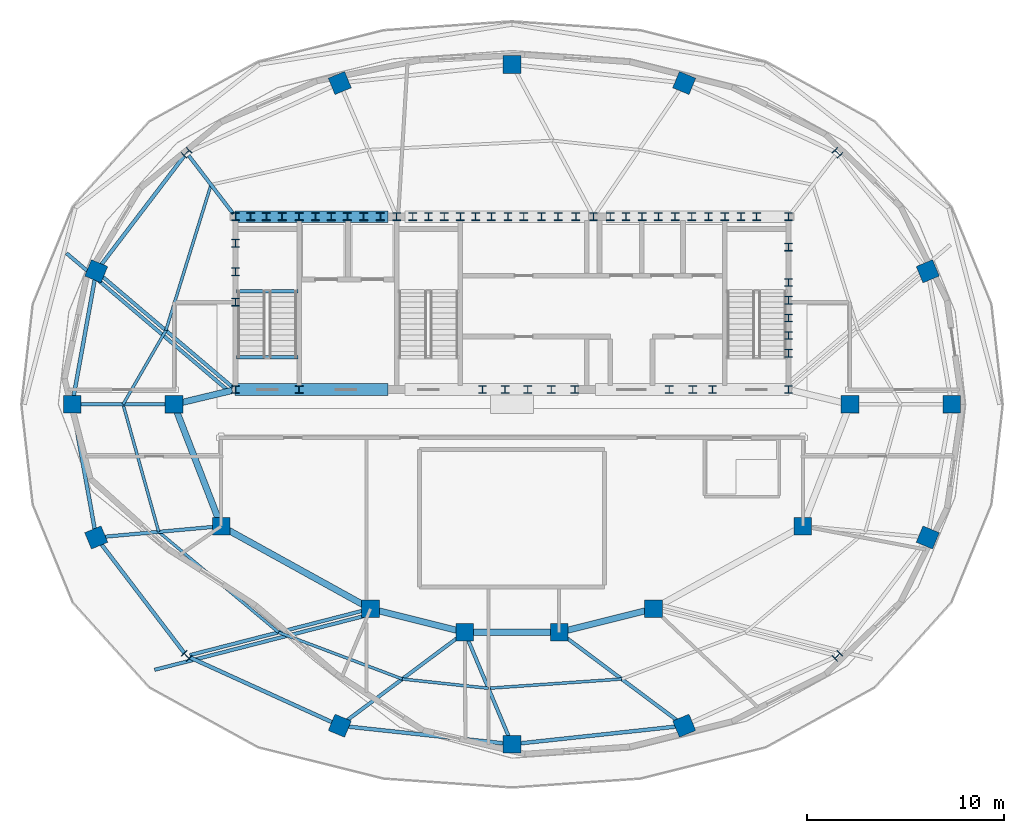
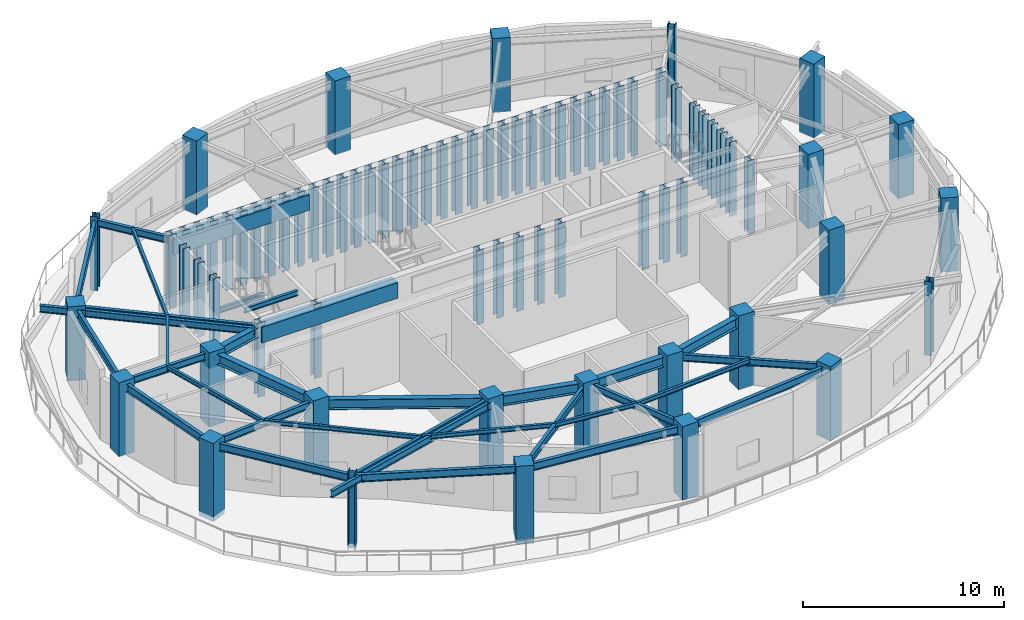
# One storey, part 1 of 10: 78 columns, 34 beams.
"""IFC4 building model written with IfcOpenShell, lengths in metres."""

from ifc_helpers import new_model, si_unit, direction, frame, origin, origin_2d, place, context, subcontext, project, spatial, rectangle, i_section, extrude, material, material_profile, profile_set, type_object, element, save


model = new_model("IFC4")

# Units and contexts
model_context = context("Model", 3, precision=1e-05, world=origin(), true_north=direction((0.0, 1.0)))
body_context = subcontext(model_context, "Body", "Model", "MODEL_VIEW")
ifc_project = project(units=[si_unit("LENGTHUNIT", "METRE"), si_unit("AREAUNIT", "SQUARE_METRE"), si_unit("VOLUMEUNIT", "CUBIC_METRE"), si_unit("PLANEANGLEUNIT", "RADIAN"), si_unit("MASSUNIT", "GRAM", prefix="KILO")], contexts=[model_context])

# Site, building, storey
site_placement = place(None, origin())
site = spatial("IfcSite", under=ifc_project, at=site_placement, CompositionType="ELEMENT")
building_placement = place(site_placement, origin())
building = spatial("IfcBuilding", under=site, at=building_placement, Name="Haldorwick Loom Tower", CompositionType="ELEMENT")
storey_placement = place(building_placement, frame((0.0, 0.0, 273.0)))
storey = spatial("IfcBuildingStorey", under=building, at=storey_placement, Name="L74", CompositionType="ELEMENT", Elevation=273.0)

# Columns
ifc_material_1 = material(Name="Concrete C50 (50 MPa)", Category="concrete")
ifc_material_profile_1 = material_profile(ifc_material_1, rectangle(XDim=0.89990234375, YDim=0.89990234375, at=origin_2d()), Name="RC900X900", Category="concrete")
ifc_profile_set_1 = profile_set([ifc_material_profile_1], Name="Concrete C50 (50 MPa)")
column_type_1 = type_object("IfcColumnType", Name="STR-COL-RC900", PredefinedType="COLUMN", material=ifc_profile_set_1)
for number, where, z_axis, x_axis, name in (
    (1, (53.199951171875, 26.0, 0.0), (0.0, 0.0, 1.0), (1.0, 0.0, 0.0), "L74 Inner Column IC-01"),
    (2, (50.800048828125, 19.800048828125, 0.0), (0.0, 0.0, 1.0), (1.0, 0.0, 0.0), "L74 Inner Column IC-02"),
    (3, (43.199951171875, 15.60009765625, 0.0), (0.0, 0.0, 1.0), (1.0, 0.0, 0.0), "L74 Inner Column IC-03"),
    (4, (38.39990234375, 14.39990234375, 0.0), (0.0, 0.0, 1.0), (1.0, 0.0, 0.0), "L74 Inner Column IC-04"),
    (5, (33.60009765625, 14.39990234375, 0.0), (0.0, 0.0, 1.0), (1.0, 0.0, 0.0), "L74 Inner Column IC-05"),
    (6, (28.800048828125, 15.60009765625, 0.0), (0.0, 0.0, 1.0), (1.0, 0.0, 0.0), "L74 Inner Column IC-06"),
    (7, (21.199951171875, 19.800048828125, 0.0), (0.0, 0.0, 1.0), (1.0, 0.0, 0.0), "L74 Inner Column IC-07"),
    (8, (18.800048828125, 26.0, 0.0), (0.0, 0.0, 1.0), (1.0, 0.0, 0.0), "L74 Inner Column IC-08"),
    (9, (58.380859375, 26.0, 0.0), (0.0, 0.0, 1.0), (1.0, 0.0, 0.0), "L74 Perimeter Pier Column P01"),
    (10, (57.15673828125, 32.7734375, 0.0), (0.0, 0.0, 1.0), (0.923879532511, 0.382683432365, 0.0), "L74 Perimeter Pier Column P02"),
    (11, (44.763427734375, 42.352783203125, 0.0), (0.0, 0.0, 1.0), (0.382683432365, 0.923879532511, 0.0), "L74 Perimeter Pier Column P04"),
    (12, (36.0, 43.295166015625, 0.0), (0.0, 0.0, 1.0), (0.0, 1.0, 0.0), "L74 Perimeter Pier Column P05"),
    (13, (27.236572265625, 42.352783203125, 0.0), (0.0, 0.0, 1.0), (-0.382683432365, 0.923879532511, 0.0), "L74 Perimeter Pier Column P06"),
    (14, (14.84326171875, 32.7734375, 0.0), (0.0, 0.0, 1.0), (-0.923879532511, 0.382683432365, 0.0), "L74 Perimeter Pier Column P08"),
    (15, (13.619140625, 26.0, 0.0), (0.0, 0.0, 1.0), (-1.0, 0.0, 0.0), "L74 Perimeter Pier Column P09"),
):
    element("IfcColumn", number, at=place(storey_placement, frame(where, z_axis=z_axis, x_axis=x_axis)), inside=storey, type_object=column_type_1, Name=name, PredefinedType="COLUMN", context=body_context, shape_type="SweptSolid", body=[
        extrude(rectangle(XDim=0.89990234375, YDim=0.89990234375, at=origin_2d()), origin(), (0.0, 0.0, 1.0), 4.5),
    ])
for number, where, z_axis, x_axis, name in (
    (16, (14.84326171875, 19.2265625, -0.239990234375), (0.0, 0.0, 1.0), (-0.923879532511, -0.382683432365, 0.0), "L74 Perimeter Pier Column P10"),
    (17, (27.236572265625, 9.647216796875, -0.239990234375), (0.0, 0.0, 1.0), (-0.382683432365, -0.923879532511, 0.0), "L74 Perimeter Pier Column P12"),
):
    element("IfcColumn", number, at=place(storey_placement, frame(where, z_axis=z_axis, x_axis=x_axis)), inside=storey, type_object=column_type_1, Name=name, PredefinedType="COLUMN", context=body_context, shape_type="SweptSolid", body=[
        extrude(rectangle(XDim=0.89990234375, YDim=0.89990234375, at=origin_2d()), origin(), (0.0, 0.0, 1.0), 4.739990234375),
    ])
for number, where, z_axis, x_axis, name in (
    (18, (36.0, 8.704833984375, 0.0), (0.0, 0.0, 1.0), (0.0, -1.0, 0.0), "L74 Perimeter Pier Column P13"),
    (19, (44.763427734375, 9.647216796875, 0.0), (0.0, 0.0, 1.0), (0.382683432365, -0.923879532511, 0.0), "L74 Perimeter Pier Column P14"),
    (20, (57.15673828125, 19.2265625, 0.0), (0.0, 0.0, 1.0), (0.923879532511, -0.382683432365, 0.0), "L74 Perimeter Pier Column P16"),
):
    element("IfcColumn", number, at=place(storey_placement, frame(where, z_axis=z_axis, x_axis=x_axis)), inside=storey, type_object=column_type_1, Name=name, PredefinedType="COLUMN", context=body_context, shape_type="SweptSolid", body=[
        extrude(rectangle(XDim=0.89990234375, YDim=0.89990234375, at=origin_2d()), origin(), (0.0, 0.0, 1.0), 4.5),
    ])
ifc_material_2 = material(Name="Steel CSA G40.21 350W", Category="steel")
ifc_material_profile_2 = material_profile(ifc_material_2, i_section(OverallWidth=0.39892578125, OverallDepth=0.39306640625, WebThickness=0.0185546875, FlangeThickness=0.029541015625, at=origin_2d()), Name="W360X287", Category="steel")
ifc_profile_set_2 = profile_set([ifc_material_profile_2], Name="Steel CSA G40.21 350W")
column_type_2 = type_object("IfcColumnType", Name="STR-COL-W360X287", PredefinedType="COLUMN", material=ifc_profile_set_2)
for number, where, z_axis, x_axis, name in (
    (21, (21.929931640625, 35.550048828125, 0.0), (0.0, 0.0, 1.0), (1.0, 0.0, 0.0), "L74 Core Pilaster CB-01"),
    (22, (23.5, 35.550048828125, 0.0), (0.0, 0.0, 1.0), (1.0, 0.0, 0.0), "L74 Core Pilaster CB-02"),
    (23, (25.169921875, 35.550048828125, 0.0), (0.0, 0.0, 1.0), (1.0, 0.0, 0.0), "L74 Core Pilaster CB-03"),
    (24, (26.800048828125, 35.550048828125, 0.0), (0.0, 0.0, 1.0), (1.0, 0.0, 0.0), "L74 Core Pilaster CB-04"),
    (25, (28.449951171875, 35.550048828125, 0.0), (0.0, 0.0, 1.0), (1.0, 0.0, 0.0), "L74 Core Pilaster CB-05"),
    (26, (30.1298828125, 35.550048828125, 0.0), (0.0, 0.0, 1.0), (1.0, 0.0, 0.0), "L74 Core Pilaster CB-06"),
    (27, (31.75, 35.550048828125, 0.0), (0.0, 0.0, 1.0), (1.0, 0.0, 0.0), "L74 Core Pilaster CB-07"),
    (28, (33.3701171875, 35.550048828125, 0.0), (0.0, 0.0, 1.0), (1.0, 0.0, 0.0), "L74 Core Pilaster CB-08"),
    (29, (34.949951171875, 35.550048828125, 0.0), (0.0, 0.0, 1.0), (1.0, 0.0, 0.0), "L74 Core Pilaster CB-09"),
    (30, (36.60009765625, 35.550048828125, 0.0), (0.0, 0.0, 1.0), (1.0, 0.0, 0.0), "L74 Core Pilaster CB-10"),
    (31, (38.35009765625, 35.550048828125, 0.0), (0.0, 0.0, 1.0), (1.0, 0.0, 0.0), "L74 Core Pilaster CB-11"),
    (32, (40.14990234375, 35.550048828125, 0.0), (0.0, 0.0, 1.0), (1.0, 0.0, 0.0), "L74 Core Pilaster CB-12"),
    (33, (41.800048828125, 35.550048828125, 0.0), (0.0, 0.0, 1.0), (1.0, 0.0, 0.0), "L74 Core Pilaster CB-13"),
    (34, (43.449951171875, 35.550048828125, 0.0), (0.0, 0.0, 1.0), (1.0, 0.0, 0.0), "L74 Core Pilaster CB-14"),
    (35, (45.14990234375, 35.550048828125, 0.0), (0.0, 0.0, 1.0), (1.0, 0.0, 0.0), "L74 Core Pilaster CB-15"),
    (36, (46.830078125, 35.550048828125, 0.0), (0.0, 0.0, 1.0), (1.0, 0.0, 0.0), "L74 Core Pilaster CB-16"),
    (37, (48.449951171875, 35.550048828125, 0.0), (0.0, 0.0, 1.0), (1.0, 0.0, 0.0), "L74 Core Pilaster CB-17"),
    (38, (50.070068359375, 35.550048828125, 0.0), (0.0, 0.0, 1.0), (1.0, 0.0, 0.0), "L74 Core Pilaster CB-18"),
    (39, (21.929931640625, 26.75, 0.0), (0.0, 0.0, 1.0), (1.0, 0.0, 0.0), "L74 Core Pilaster CB-19"),
    (40, (25.169921875, 26.75, 0.0), (0.0, 0.0, 1.0), (1.0, 0.0, 0.0), "L74 Core Pilaster CB-20"),
    (41, (34.5, 26.75, 0.0), (0.0, 0.0, 1.0), (1.0, 0.0, 0.0), "L74 Core Pilaster CB-21"),
    (42, (36.800048828125, 26.75, 0.0), (0.0, 0.0, 1.0), (1.0, 0.0, 0.0), "L74 Core Pilaster CB-22"),
    (43, (39.199951171875, 26.75, 0.0), (0.0, 0.0, 1.0), (1.0, 0.0, 0.0), "L74 Core Pilaster CB-23"),
    (44, (45.199951171875, 26.75, 0.0), (0.0, 0.0, 1.0), (1.0, 0.0, 0.0), "L74 Core Pilaster CB-24"),
    (45, (50.070068359375, 26.75, 0.0), (0.0, 0.0, 1.0), (1.0, 0.0, 0.0), "L74 Core Pilaster CB-25"),
    (46, (21.929931640625, 31.199951171875, 0.0), (0.0, 0.0, 1.0), (1.0, 0.0, 0.0), "L74 Core Pilaster CB-26"),
    (47, (21.929931640625, 32.75, 0.0), (0.0, 0.0, 1.0), (1.0, 0.0, 0.0), "L74 Core Pilaster CB-27"),
    (48, (21.929931640625, 34.199951171875, 0.0), (0.0, 0.0, 1.0), (1.0, 0.0, 0.0), "L74 Core Pilaster CB-28"),
    (49, (50.070068359375, 28.60009765625, 0.0), (0.0, 0.0, 1.0), (1.0, 0.0, 0.0), "L74 Core Pilaster CB-29"),
    (50, (50.070068359375, 30.39990234375, 0.0), (0.0, 0.0, 1.0), (1.0, 0.0, 0.0), "L74 Core Pilaster CB-30"),
    (51, (50.070068359375, 32.199951171875, 0.0), (0.0, 0.0, 1.0), (1.0, 0.0, 0.0), "L74 Core Pilaster CB-31"),
    (52, (50.070068359375, 34.0, 0.0), (0.0, 0.0, 1.0), (1.0, 0.0, 0.0), "L74 Core Pilaster CB-32"),
    (53, (22.699951171875, 35.550048828125, 0.0), (0.0, 0.0, 1.0), (1.0, 0.0, 0.0), "L74 Core Pilaster CB-33"),
    (54, (27.6201171875, 35.550048828125, 0.0), (0.0, 0.0, 1.0), (1.0, 0.0, 0.0), "L74 Core Pilaster CB-34"),
    (55, (32.550048828125, 35.550048828125, 0.0), (0.0, 0.0, 1.0), (1.0, 0.0, 0.0), "L74 Core Pilaster CB-35"),
    (56, (37.5, 35.550048828125, 0.0), (0.0, 0.0, 1.0), (1.0, 0.0, 0.0), "L74 Core Pilaster CB-36"),
    (57, (42.6201171875, 35.550048828125, 0.0), (0.0, 0.0, 1.0), (1.0, 0.0, 0.0), "L74 Core Pilaster CB-37"),
    (58, (47.64990234375, 35.550048828125, 0.0), (0.0, 0.0, 1.0), (1.0, 0.0, 0.0), "L74 Core Pilaster CB-38"),
    (59, (24.300048828125, 35.550048828125, 0.0), (0.0, 0.0, 1.0), (1.0, 0.0, 0.0), "L74 Core Pilaster CB-39"),
    (60, (26.0, 35.550048828125, 0.0), (0.0, 0.0, 1.0), (1.0, 0.0, 0.0), "L74 Core Pilaster CB-40"),
    (61, (29.300048828125, 35.550048828125, 0.0), (0.0, 0.0, 1.0), (1.0, 0.0, 0.0), "L74 Core Pilaster CB-41"),
    (62, (30.949951171875, 35.550048828125, 0.0), (0.0, 0.0, 1.0), (1.0, 0.0, 0.0), "L74 Core Pilaster CB-42"),
    (63, (34.14990234375, 35.550048828125, 0.0), (0.0, 0.0, 1.0), (1.0, 0.0, 0.0), "L74 Core Pilaster CB-43"),
    (64, (35.800048828125, 35.550048828125, 0.0), (0.0, 0.0, 1.0), (1.0, 0.0, 0.0), "L74 Core Pilaster CB-44"),
    (65, (39.25, 35.550048828125, 0.0), (0.0, 0.0, 1.0), (1.0, 0.0, 0.0), "L74 Core Pilaster CB-45"),
    (66, (41.0, 35.550048828125, 0.0), (0.0, 0.0, 1.0), (1.0, 0.0, 0.0), "L74 Core Pilaster CB-46"),
    (67, (44.300048828125, 35.550048828125, 0.0), (0.0, 0.0, 1.0), (1.0, 0.0, 0.0), "L74 Core Pilaster CB-47"),
    (68, (46.0, 35.550048828125, 0.0), (0.0, 0.0, 1.0), (1.0, 0.0, 0.0), "L74 Core Pilaster CB-48"),
    (69, (50.070068359375, 29.5, 0.0), (0.0, 0.0, 1.0), (1.0, 0.0, 0.0), "L74 Core Pilaster CB-49"),
    (70, (50.070068359375, 31.300048828125, 0.0), (0.0, 0.0, 1.0), (1.0, 0.0, 0.0), "L74 Core Pilaster CB-50"),
    (71, (35.64990234375, 26.75, 0.0), (0.0, 0.0, 1.0), (1.0, 0.0, 0.0), "L74 Core Pilaster CB-51"),
    (72, (38.0, 26.75, 0.0), (0.0, 0.0, 1.0), (1.0, 0.0, 0.0), "L74 Core Pilaster CB-52"),
    (73, (44.0, 26.75, 0.0), (0.0, 0.0, 1.0), (1.0, 0.0, 0.0), "L74 Core Pilaster CB-53"),
    (74, (46.199951171875, 26.75, 0.0), (0.0, 0.0, 1.0), (1.0, 0.0, 0.0), "L74 Core Pilaster CB-54"),
    (75, (52.559814453125, 38.802001953125, 0.0), (0.0, 0.0, 1.0), (0.707106781187, 0.707106781187, 0.0), "L74 Perimeter Pier Column P03"),
    (76, (19.440185546875, 38.802001953125, 0.0), (0.0, 0.0, 1.0), (-0.707106781187, 0.707106781187, 0.0), "L74 Perimeter Pier Column P07"),
):
    element("IfcColumn", number, at=place(storey_placement, frame(where, z_axis=z_axis, x_axis=x_axis)), inside=storey, type_object=column_type_2, Name=name, PredefinedType="COLUMN", context=body_context, shape_type="SweptSolid", body=[
        extrude(i_section(OverallWidth=0.39892578125, OverallDepth=0.39306640625, WebThickness=0.0185546875, FlangeThickness=0.029541015625, at=origin_2d()), origin(), (0.0, 0.0, 1.0), 4.5),
    ])
column_1_placement = place(storey_placement, frame((19.440185546875, 13.197998046875, -0.239990234375), z_axis=(0.0, 0.0, 1.0), x_axis=(-0.707106781187, -0.707106781187, 0.0)))
element("IfcColumn", 77, at=column_1_placement, inside=storey, type_object=column_type_2, Name="L74 Perimeter Pier Column P11", PredefinedType="COLUMN", context=body_context, shape_type="SweptSolid", body=[
    extrude(i_section(OverallWidth=0.39892578125, OverallDepth=0.39306640625, WebThickness=0.0185546875, FlangeThickness=0.029541015625, at=origin_2d()), origin(), (0.0, 0.0, 1.0), 4.739990234375),
])
column_2_placement = place(storey_placement, frame((52.559814453125, 13.197998046875, 0.0), z_axis=(0.0, 0.0, 1.0), x_axis=(0.707106781187, -0.707106781187, 0.0)))
element("IfcColumn", 78, at=column_2_placement, inside=storey, type_object=column_type_2, Name="L74 Perimeter Pier Column P15", PredefinedType="COLUMN", context=body_context, shape_type="SweptSolid", body=[
    extrude(i_section(OverallWidth=0.39892578125, OverallDepth=0.39306640625, WebThickness=0.0185546875, FlangeThickness=0.029541015625, at=origin_2d()), origin(), (0.0, 0.0, 1.0), 4.5),
])

# Beams
ifc_material_profile_3 = material_profile(ifc_material_2, i_section(OverallWidth=0.179931640625, OverallDepth=0.4130859375, WebThickness=0.009765625, FlangeThickness=0.01611328125, at=origin_2d()), Name="W410X74", Category="steel")
ifc_profile_set_3 = profile_set([ifc_material_profile_3], Name="Steel CSA G40.21 350W")
beam_type_1 = type_object("IfcBeamType", Name="STR-BM-BAL410", PredefinedType="BEAM", material=ifc_profile_set_3)
beam_1_placement = place(storey_placement, frame((28.4580078125, 15.22314453125, 4.053466796875), z_axis=(-0.968611485287, -0.24857954576, 0.0), x_axis=(0.24857954576, -0.968611485287, 0.0)))
element("IfcBeam", 79, at=beam_1_placement, inside=storey, type_object=beam_type_1, Name="L74 Continuous Back-Spanned Balcony Beam 2", PredefinedType="BEAM", context=body_context, shape_type="SweptSolid", body=[
    extrude(i_section(OverallWidth=0.179931640625, OverallDepth=0.4130859375, WebThickness=0.009765625, FlangeThickness=0.01611328125, at=origin_2d()), origin(), (0.0, 0.0, 1.0), 10.98828125),
])
beam_2_placement = place(storey_placement, frame((21.617919921875, 26.647705078125, 4.053466796875), z_axis=(-0.761939871456, 0.647647768687, 0.0), x_axis=(-0.647647768687, -0.761939871456, 0.0)))
element("IfcBeam", 80, at=beam_2_placement, inside=storey, type_object=beam_type_1, Name="L74 Continuous Back-Spanned Balcony Beam 3", PredefinedType="BEAM", context=body_context, shape_type="SweptSolid", body=[
    extrude(i_section(OverallWidth=0.179931640625, OverallDepth=0.4130859375, WebThickness=0.009765625, FlangeThickness=0.01611328125, at=origin_2d()), origin(), (0.0, 0.0, 1.0), 10.879150390625),
])
ifc_material_profile_4 = material_profile(ifc_material_1, rectangle(XDim=0.60009765625, YDim=0.949951171875, at=origin_2d()), Name="RC600X950", Category="concrete")
ifc_profile_set_4 = profile_set([ifc_material_profile_4], Name="Concrete C50 (50 MPa)")
beam_type_2 = type_object("IfcBeamType", Name="STR-BM-CB950", PredefinedType="LINTEL", material=ifc_profile_set_4)
for number, where, z_axis, x_axis, name in (
    (81, (21.89990234375, 35.550048828125, 3.784912109375), (1.0, 0.0, 0.0), (0.0, 1.0, 0.0), "L74 Core Coupling Beam CB-N1"),
    (82, (21.89990234375, 26.75, 3.784912109375), (1.0, 0.0, 0.0), (0.0, 1.0, 0.0), "L74 Core Coupling Beam CB-S1"),
):
    element("IfcBeam", number, at=place(storey_placement, frame(where, z_axis=z_axis, x_axis=x_axis)), inside=storey, type_object=beam_type_2, Name=name, PredefinedType="LINTEL", context=body_context, shape_type="SweptSolid", body=[
        extrude(rectangle(XDim=0.60009765625, YDim=0.949951171875, at=origin_2d()), origin(), (0.0, 0.0, 1.0), 7.800048828125),
    ])
ifc_material_profile_5 = material_profile(ifc_material_2, i_section(OverallWidth=0.14599609375, OverallDepth=0.258056640625, WebThickness=0.006103515625, FlangeThickness=0.009033203125, at=origin_2d()), Name="W250X33", Category="steel")
ifc_profile_set_5 = profile_set([ifc_material_profile_5], Name="Steel CSA G40.21 350W")
beam_type_3 = type_object("IfcBeamType", Name="STR-BM-J250", PredefinedType="JOIST", material=ifc_profile_set_5)
beam_3_placement = place(storey_placement, frame((20.68505859375, 37.176025390625, 4.131103515625), z_axis=(-0.296087580312, -0.955160795251, 0.0), x_axis=(0.955160795251, -0.296087580312, 0.0)))
element("IfcBeam", 83, at=beam_3_placement, inside=storey, type_object=beam_type_3, Name="L74 Mid-Bay Secondary Joist 7", PredefinedType="JOIST", context=body_context, shape_type="SweptSolid", body=[
    extrude(i_section(OverallWidth=0.14599609375, OverallDepth=0.258056640625, WebThickness=0.006103515625, FlangeThickness=0.009033203125, at=origin_2d()), origin(), (0.0, 0.0, 1.0), 7.762451171875),
])
beam_4_placement = place(storey_placement, frame((18.38671875, 29.76171875, 4.131103515625), z_axis=(-0.50089233553, -0.865509600297, 0.0), x_axis=(0.865509600297, -0.50089233553, 0.0)))
element("IfcBeam", 84, at=beam_4_placement, inside=storey, type_object=beam_type_3, Name="L74 Mid-Bay Secondary Joist 8", PredefinedType="JOIST", context=body_context, shape_type="SweptSolid", body=[
    extrude(i_section(OverallWidth=0.14599609375, OverallDepth=0.258056640625, WebThickness=0.006103515625, FlangeThickness=0.009033203125, at=origin_2d()), origin(), (0.0, 0.0, 1.0), 4.34619140625),
])
beam_5_placement = place(storey_placement, frame((16.209716796875, 26.0, 4.131103515625), z_axis=(0.269004652199, -0.963138877367, 0.0), x_axis=(0.963138877367, 0.269004652199, 0.0)))
element("IfcBeam", 85, at=beam_5_placement, inside=storey, type_object=beam_type_3, Name="L74 Mid-Bay Secondary Joist 9", PredefinedType="JOIST", context=body_context, shape_type="SweptSolid", body=[
    extrude(i_section(OverallWidth=0.14599609375, OverallDepth=0.258056640625, WebThickness=0.006103515625, FlangeThickness=0.009033203125, at=origin_2d()), origin(), (0.0, 0.0, 1.0), 6.735107421875),
])
beam_6_placement = place(storey_placement, frame((18.021484375, 19.51318359375, 4.131103515625), z_axis=(0.766236362394, -0.642558819833, 0.0), x_axis=(0.642558819833, 0.766236362394, 0.0)))
element("IfcBeam", 86, at=beam_6_placement, inside=storey, type_object=beam_type_3, Name="L74 Mid-Bay Secondary Joist 10", PredefinedType="JOIST", context=body_context, shape_type="SweptSolid", body=[
    extrude(i_section(OverallWidth=0.14599609375, OverallDepth=0.258056640625, WebThickness=0.006103515625, FlangeThickness=0.009033203125, at=origin_2d()), origin(), (0.0, 0.0, 1.0), 7.959228515625),
])
beam_7_placement = place(storey_placement, frame((24.1201171875, 14.39892578125, 4.131103515625), z_axis=(0.93567019597, -0.352875735031, 0.0), x_axis=(0.352875735031, 0.93567019597, 0.0)))
element("IfcBeam", 87, at=beam_7_placement, inside=storey, type_object=beam_type_3, Name="L74 Mid-Bay Secondary Joist 11", PredefinedType="JOIST", context=body_context, shape_type="SweptSolid", body=[
    extrude(i_section(OverallWidth=0.14599609375, OverallDepth=0.258056640625, WebThickness=0.006103515625, FlangeThickness=0.009033203125, at=origin_2d()), origin(), (0.0, 0.0, 1.0), 6.731201171875),
])
beam_8_placement = place(storey_placement, frame((30.418212890625, 12.023681640625, 4.131103515625), z_axis=(0.994268003688, -0.106916494714, 0.0), x_axis=(0.106916494714, 0.994268003688, 0.0)))
element("IfcBeam", 88, at=beam_8_placement, inside=storey, type_object=beam_type_3, Name="L74 Mid-Bay Secondary Joist 12", PredefinedType="JOIST", context=body_context, shape_type="SweptSolid", body=[
    extrude(i_section(OverallWidth=0.14599609375, OverallDepth=0.258056640625, WebThickness=0.006103515625, FlangeThickness=0.009033203125, at=origin_2d()), origin(), (0.0, 0.0, 1.0), 4.406982421875),
])
beam_9_placement = place(storey_placement, frame((34.800048828125, 11.552490234375, 4.131103515625), z_axis=(0.997595007309, 0.069312346609, 0.0), x_axis=(-0.069312346609, 0.997595007309, 0.0)))
element("IfcBeam", 89, at=beam_9_placement, inside=storey, type_object=beam_type_3, Name="L74 Mid-Bay Secondary Joist 13", PredefinedType="JOIST", context=body_context, shape_type="SweptSolid", body=[
    extrude(i_section(OverallWidth=0.14599609375, OverallDepth=0.258056640625, WebThickness=0.006103515625, FlangeThickness=0.009033203125, at=origin_2d()), origin(), (0.0, 0.0, 1.0), 6.798095703125),
])
ifc_material_profile_6 = material_profile(ifc_material_2, i_section(OverallWidth=0.179931640625, OverallDepth=0.4130859375, WebThickness=0.009765625, FlangeThickness=0.01611328125, at=origin_2d()), Name="W410X74", Category="steel")
ifc_profile_set_6 = profile_set([ifc_material_profile_6], Name="Steel CSA G40.21 350W")
beam_type_4 = type_object("IfcBeamType", Name="STR-BM-J410", PredefinedType="JOIST", material=ifc_profile_set_6)
beam_10_placement = place(storey_placement, frame((21.82568359375, 35.686279296875, 4.053466796875), z_axis=(-0.607923320425, 0.793995740847, 0.0), x_axis=(-0.793995740847, -0.607923320425, 0.0)))
element("IfcBeam", 90, at=beam_10_placement, inside=storey, type_object=beam_type_4, Name="L74 Radial Floor Girder 7", PredefinedType="JOIST", context=body_context, shape_type="SweptSolid", body=[
    extrude(i_section(OverallWidth=0.179931640625, OverallDepth=0.4130859375, WebThickness=0.009765625, FlangeThickness=0.01611328125, at=origin_2d()), origin(), (0.0, 0.0, 1.0), 3.75244140625),
])
beam_11_placement = place(storey_placement, frame((21.79931640625, 26.861083984375, 4.053466796875), z_axis=(-0.761954542494, 0.647630508216, 0.0), x_axis=(-0.647630508216, -0.761954542494, 0.0)))
element("IfcBeam", 91, at=beam_11_placement, inside=storey, type_object=beam_type_4, Name="L74 Radial Floor Girder 8", PredefinedType="JOIST", context=body_context, shape_type="SweptSolid", body=[
    extrude(i_section(OverallWidth=0.179931640625, OverallDepth=0.4130859375, WebThickness=0.009765625, FlangeThickness=0.01611328125, at=origin_2d()), origin(), (0.0, 0.0, 1.0), 8.704345703125),
])
beam_12_placement = place(storey_placement, frame((18.375, 26.0, 4.053466796875), z_axis=(-1.0, 0.0, 0.0), x_axis=(0.0, -1.0, 0.0)))
element("IfcBeam", 92, at=beam_12_placement, inside=storey, type_object=beam_type_4, Name="L74 Radial Floor Girder 9", PredefinedType="JOIST", context=body_context, shape_type="SweptSolid", body=[
    extrude(i_section(OverallWidth=0.179931640625, OverallDepth=0.4130859375, WebThickness=0.009765625, FlangeThickness=0.01611328125, at=origin_2d()), origin(), (0.0, 0.0, 1.0), 4.330810546875),
])
beam_13_placement = place(storey_placement, frame((20.776611328125, 19.76171875, 4.053466796875), z_axis=(-0.995955545461, -0.08984737873, 0.0), x_axis=(0.08984737873, -0.995955545461, 0.0)))
element("IfcBeam", 93, at=beam_13_placement, inside=storey, type_object=beam_type_4, Name="L74 Radial Floor Girder 10", PredefinedType="JOIST", context=body_context, shape_type="SweptSolid", body=[
    extrude(i_section(OverallWidth=0.179931640625, OverallDepth=0.4130859375, WebThickness=0.009765625, FlangeThickness=0.01611328125, at=origin_2d()), origin(), (0.0, 0.0, 1.0), 5.532470703125),
])
beam_14_placement = place(storey_placement, frame((28.38818359375, 15.494384765625, 4.053466796875), z_axis=(-0.968607693966, -0.248594318498, 0.0), x_axis=(0.248594318498, -0.968607693966, 0.0)))
element("IfcBeam", 94, at=beam_14_placement, inside=storey, type_object=beam_type_4, Name="L74 Radial Floor Girder 11", PredefinedType="JOIST", context=body_context, shape_type="SweptSolid", body=[
    extrude(i_section(OverallWidth=0.179931640625, OverallDepth=0.4130859375, WebThickness=0.009765625, FlangeThickness=0.01611328125, at=origin_2d()), origin(), (0.0, 0.0, 1.0), 9.066650390625),
])
beam_15_placement = place(storey_placement, frame((33.259521484375, 14.145751953125, 4.053466796875), z_axis=(-0.801204527525, -0.598390595742, 0.0), x_axis=(0.598390595742, -0.801204527525, 0.0)))
element("IfcBeam", 95, at=beam_15_placement, inside=storey, type_object=beam_type_4, Name="L74 Radial Floor Girder 12", PredefinedType="JOIST", context=body_context, shape_type="SweptSolid", body=[
    extrude(i_section(OverallWidth=0.179931640625, OverallDepth=0.4130859375, WebThickness=0.009765625, FlangeThickness=0.01611328125, at=origin_2d()), origin(), (0.0, 0.0, 1.0), 7.092529296875),
])
beam_16_placement = place(storey_placement, frame((33.764892578125, 14.00830078125, 4.053466796875), z_axis=(0.388362079437, -0.921506861209, 0.0), x_axis=(0.921506861209, 0.388362079437, 0.0)))
element("IfcBeam", 96, at=beam_16_placement, inside=storey, type_object=beam_type_4, Name="L74 Radial Floor Girder 13", PredefinedType="JOIST", context=body_context, shape_type="SweptSolid", body=[
    extrude(i_section(OverallWidth=0.179931640625, OverallDepth=0.4130859375, WebThickness=0.009765625, FlangeThickness=0.01611328125, at=origin_2d()), origin(), (0.0, 0.0, 1.0), 5.330322265625),
])
beam_17_placement = place(storey_placement, frame((38.740478515625, 14.145751953125, 4.053466796875), z_axis=(0.801204527525, -0.598390595742, 0.0), x_axis=(0.598390595742, 0.801204527525, 0.0)))
element("IfcBeam", 97, at=beam_17_placement, inside=storey, type_object=beam_type_4, Name="L74 Radial Floor Girder 14", PredefinedType="JOIST", context=body_context, shape_type="SweptSolid", body=[
    extrude(i_section(OverallWidth=0.179931640625, OverallDepth=0.4130859375, WebThickness=0.009765625, FlangeThickness=0.01611328125, at=origin_2d()), origin(), (0.0, 0.0, 1.0), 7.092529296875),
])
ifc_material_profile_7 = material_profile(ifc_material_2, i_section(OverallWidth=0.193115234375, OverallDepth=0.466064453125, WebThickness=0.011474609375, FlangeThickness=0.01904296875, at=origin_2d()), Name="W460X97", Category="steel")
ifc_profile_set_7 = profile_set([ifc_material_profile_7], Name="Steel CSA G40.21 350W")
beam_type_5 = type_object("IfcBeamType", Name="STR-BM-SP460", PredefinedType="SPANDREL", material=ifc_profile_set_7)
beam_18_placement = place(storey_placement, frame((19.336181640625, 38.66552734375, 4.027099609375), z_axis=(-0.606384376075, -0.795171672315, 0.0), x_axis=(0.795171672315, -0.606384376075, 0.0)))
element("IfcBeam", 98, at=beam_18_placement, inside=storey, type_object=beam_type_5, Name="L74 Perimeter Spandrel 7", PredefinedType="SPANDREL", context=body_context, shape_type="SweptSolid", body=[
    extrude(i_section(OverallWidth=0.193115234375, OverallDepth=0.466064453125, WebThickness=0.011474609375, FlangeThickness=0.01904296875, at=origin_2d()), origin(), (0.0, 0.0, 1.0), 6.984619140625),
])
for number, where, z_axis, x_axis, name in (
    (99, (14.767578125, 32.355224609375, 4.027099609375), (-0.177809893073, -0.984064856565, 0.0), (0.984064856565, -0.177809893073, 0.0), "L74 Perimeter Spandrel 8"),
    (100, (13.69482421875, 25.581787109375, 4.027099609375), (0.177809893073, -0.984064856565, 0.0), (0.984064856565, 0.177809893073, 0.0), "L74 Perimeter Spandrel 9"),
):
    element("IfcBeam", number, at=place(storey_placement, frame(where, z_axis=z_axis, x_axis=x_axis)), inside=storey, type_object=beam_type_5, Name=name, PredefinedType="SPANDREL", context=body_context, shape_type="SweptSolid", body=[
        extrude(i_section(OverallWidth=0.193115234375, OverallDepth=0.466064453125, WebThickness=0.011474609375, FlangeThickness=0.01904296875, at=origin_2d()), origin(), (0.0, 0.0, 1.0), 6.033203125),
    ])
beam_19_placement = place(storey_placement, frame((15.100830078125, 18.888427734375, 4.027099609375), z_axis=(0.606384376075, -0.795171672315, 0.0), x_axis=(0.795171672315, 0.606384376075, 0.0)))
element("IfcBeam", 101, at=beam_19_placement, inside=storey, type_object=beam_type_5, Name="L74 Perimeter Spandrel 10", PredefinedType="SPANDREL", context=body_context, shape_type="SweptSolid", body=[
    extrude(i_section(OverallWidth=0.193115234375, OverallDepth=0.466064453125, WebThickness=0.011474609375, FlangeThickness=0.01904296875, at=origin_2d()), origin(), (0.0, 0.0, 1.0), 6.984619140625),
])
beam_20_placement = place(storey_placement, frame((19.59619140625, 13.126953125, 4.027099609375), z_axis=(0.910060964072, -0.414474416185, 0.0), x_axis=(0.414474416185, 0.910060964072, 0.0)))
element("IfcBeam", 102, at=beam_20_placement, inside=storey, type_object=beam_type_5, Name="L74 Perimeter Spandrel 11", PredefinedType="SPANDREL", context=body_context, shape_type="SweptSolid", body=[
    extrude(i_section(OverallWidth=0.193115234375, OverallDepth=0.466064453125, WebThickness=0.011474609375, FlangeThickness=0.01904296875, at=origin_2d()), origin(), (0.0, 0.0, 1.0), 7.97021484375),
])
for number, where, z_axis, x_axis, name in (
    (103, (27.6591796875, 9.601806640625, 4.027099609375), (0.994266744602, -0.106928202916, 0.0), (0.106928202916, 0.994266744602, 0.0), "L74 Perimeter Spandrel 12"),
    (104, (36.422607421875, 8.750244140625, 4.027099609375), (0.994266744602, 0.106928202916, 0.0), (-0.106928202916, 0.994266744602, 0.0), "L74 Perimeter Spandrel 13"),
):
    element("IfcBeam", number, at=place(storey_placement, frame(where, z_axis=z_axis, x_axis=x_axis)), inside=storey, type_object=beam_type_5, Name=name, PredefinedType="SPANDREL", context=body_context, shape_type="SweptSolid", body=[
        extrude(i_section(OverallWidth=0.193115234375, OverallDepth=0.466064453125, WebThickness=0.011474609375, FlangeThickness=0.01904296875, at=origin_2d()), origin(), (0.0, 0.0, 1.0), 7.9638671875),
    ])
ifc_material_profile_8 = material_profile(ifc_material_2, i_section(OverallWidth=0.166015625, OverallDepth=0.31298828125, WebThickness=0.006591796875, FlangeThickness=0.01123046875, at=origin_2d()), Name="W310X45", Category="steel")
ifc_profile_set_8 = profile_set([ifc_material_profile_8], Name="Steel CSA G40.21 350W")
beam_type_6 = type_object("IfcBeamType", Name="STR-BM-STRM", PredefinedType="BEAM", material=ifc_profile_set_8)
for number, where, z_axis, x_axis, name in (
    (105, (21.989990234375, 28.39990234375, 4.103515625), (1.0, 0.0, 0.0), (0.0, 1.0, 0.0), "L74 Stair ST-01 Landing Edge Trimmer"),
    (106, (21.989990234375, 31.760009765625, 1.8935546875), (1.0, 0.0, 0.0), (0.0, 1.0, 0.0), "L74 Stair ST-01 Half-Landing Trimmer 1"),
):
    element("IfcBeam", number, at=place(storey_placement, frame(where, z_axis=z_axis, x_axis=x_axis)), inside=storey, type_object=beam_type_6, Name=name, PredefinedType="BEAM", context=body_context, shape_type="SweptSolid", body=[
        extrude(i_section(OverallWidth=0.166015625, OverallDepth=0.31298828125, WebThickness=0.006591796875, FlangeThickness=0.01123046875, at=origin_2d()), origin(), (0.0, 0.0, 1.0), 3.1201171875),
    ])
ifc_material_profile_9 = material_profile(ifc_material_2, i_section(OverallWidth=0.324951171875, OverallDepth=0.615966796875, WebThickness=0.013916015625, FlangeThickness=0.021484375, at=origin_2d()), Name="W610X174", Category="steel")
ifc_profile_set_9 = profile_set([ifc_material_profile_9], Name="Steel CSA G40.21 350W")
beam_type_7 = type_object("IfcBeamType", Name="STR-BM-W610A", PredefinedType="BEAM", material=ifc_profile_set_9)
beam_21_placement = place(storey_placement, frame((42.78759765625, 15.496826171875, 3.951904296875), z_axis=(-0.97015301348, -0.242493567823, 0.0), x_axis=(0.242493567823, -0.97015301348, 0.0)))
element("IfcBeam", 107, at=beam_21_placement, inside=storey, type_object=beam_type_7, Name="L74 Inner Ring Girder 4", PredefinedType="BEAM", context=body_context, shape_type="SweptSolid", body=[
    extrude(i_section(OverallWidth=0.324951171875, OverallDepth=0.615966796875, WebThickness=0.013916015625, FlangeThickness=0.021484375, at=origin_2d()), origin(), (0.0, 0.0, 1.0), 4.09765625),
])
beam_22_placement = place(storey_placement, frame((37.97509765625, 14.39990234375, 3.951904296875), z_axis=(-1.0, 0.0, 0.0), x_axis=(0.0, -1.0, 0.0)))
element("IfcBeam", 108, at=beam_22_placement, inside=storey, type_object=beam_type_7, Name="L74 Inner Ring Girder 5", PredefinedType="BEAM", context=body_context, shape_type="SweptSolid", body=[
    extrude(i_section(OverallWidth=0.324951171875, OverallDepth=0.615966796875, WebThickness=0.013916015625, FlangeThickness=0.021484375, at=origin_2d()), origin(), (0.0, 0.0, 1.0), 3.9501953125),
])
beam_23_placement = place(storey_placement, frame((33.187744140625, 14.503173828125, 3.951904296875), z_axis=(-0.97015301348, 0.242493567823, 0.0), x_axis=(-0.242493567823, -0.97015301348, 0.0)))
element("IfcBeam", 109, at=beam_23_placement, inside=storey, type_object=beam_type_7, Name="L74 Inner Ring Girder 6", PredefinedType="BEAM", context=body_context, shape_type="SweptSolid", body=[
    extrude(i_section(OverallWidth=0.324951171875, OverallDepth=0.615966796875, WebThickness=0.013916015625, FlangeThickness=0.021484375, at=origin_2d()), origin(), (0.0, 0.0, 1.0), 4.09765625),
])
beam_24_placement = place(storey_placement, frame((28.427978515625, 15.8056640625, 3.951904296875), z_axis=(-0.875241535439, 0.48368611169, 0.0), x_axis=(-0.48368611169, -0.875241535439, 0.0)))
element("IfcBeam", 110, at=beam_24_placement, inside=storey, type_object=beam_type_7, Name="L74 Inner Ring Girder 7", PredefinedType="BEAM", context=body_context, shape_type="SweptSolid", body=[
    extrude(i_section(OverallWidth=0.324951171875, OverallDepth=0.615966796875, WebThickness=0.013916015625, FlangeThickness=0.021484375, at=origin_2d()), origin(), (0.0, 0.0, 1.0), 7.833251953125),
])
beam_25_placement = place(storey_placement, frame((21.046630859375, 20.1962890625, 3.951904296875), z_axis=(-0.361001189766, 0.932565354808, 0.0), x_axis=(-0.932565354808, -0.361001189766, 0.0)))
element("IfcBeam", 111, at=beam_25_placement, inside=storey, type_object=beam_type_7, Name="L74 Inner Ring Girder 8", PredefinedType="BEAM", context=body_context, shape_type="SweptSolid", body=[
    extrude(i_section(OverallWidth=0.324951171875, OverallDepth=0.615966796875, WebThickness=0.013916015625, FlangeThickness=0.021484375, at=origin_2d()), origin(), (0.0, 0.0, 1.0), 5.798583984375),
])
beam_26_placement = place(storey_placement, frame((19.21337890625, 26.09912109375, 3.951904296875), z_axis=(0.972483573168, 0.232971457302, 0.0), x_axis=(-0.232971457302, 0.972483573168, 0.0)))
element("IfcBeam", 112, at=beam_26_placement, inside=storey, type_object=beam_type_7, Name="L74 Inner Ring Girder 9", PredefinedType="BEAM", context=body_context, shape_type="SweptSolid", body=[
    extrude(i_section(OverallWidth=0.324951171875, OverallDepth=0.615966796875, WebThickness=0.013916015625, FlangeThickness=0.021484375, at=origin_2d()), origin(), (0.0, 0.0, 1.0), 2.6220703125),
])

save(model, "model.ifc")
